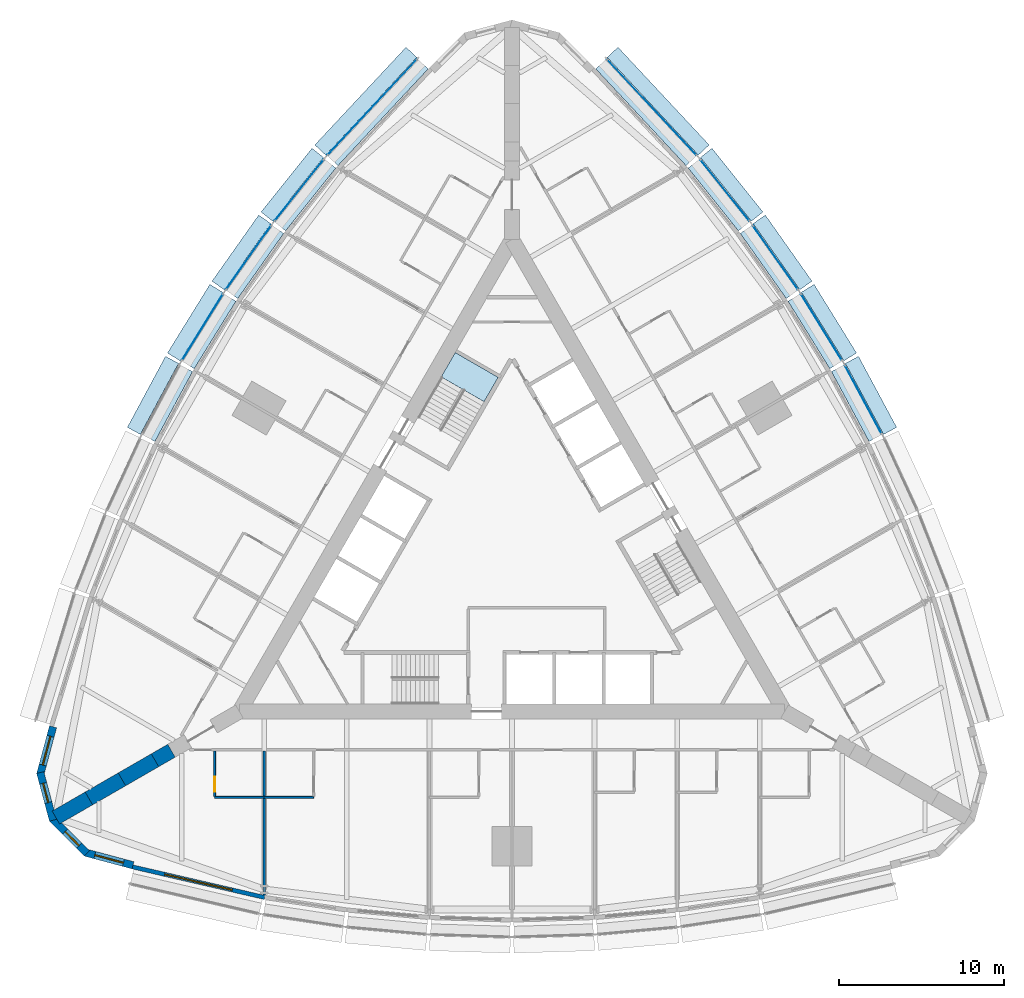
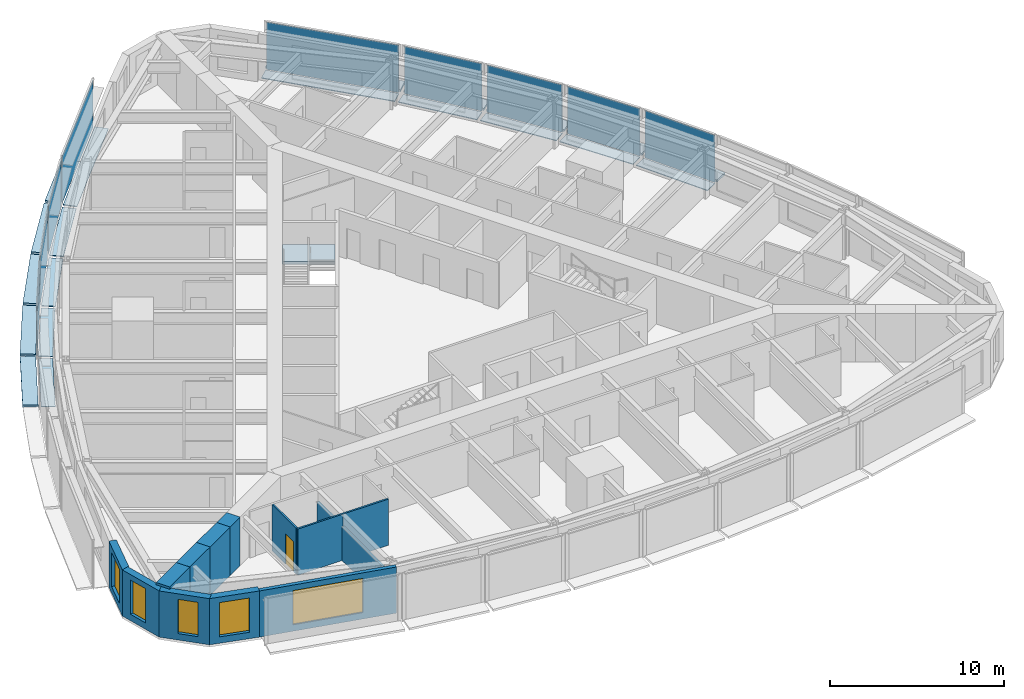
# One storey, part 7 of 14: 29 plates, 13 walls, 5 windows, 1 door, 1 slab, 6 openings, 10 elements without a shape of their own.
"""IFC4 building model written with IfcOpenShell, lengths in metres."""

import ifcopenshell
import ifcopenshell.guid

model = None  # the IFC model being written
_history = None  # IfcOwnerHistory: only IFC2X3 demands one
_inside = {}  # id of a spatial element -> (the spatial element, [elements in it])
_under = {}  # id of a project, library or spatial element -> (it, [spatial elements below it])
_declared = {}  # id of a project -> (the project, [libraries it declares])
_typed = {}  # id of a type object -> (the type object, [elements of that type])
_made_of = {}  # id of a material, layer set ... -> (it, [elements and type objects made of it])


def new_model(schema):
    """Start an empty IFC model of exactly this schema.

    Asked for "IFC4X3", IfcOpenShell would pick the latest addendum, in which some entities
    have other attributes; the version numbers below select the first issue.
    IFC2X3 requires an IfcOwnerHistory on every rooted entity: one is made here for all.
    """
    global model, _history
    if schema == "IFC4X3":
        model = ifcopenshell.file(schema_version=(4, 3, 0, 0))
    else:
        model = ifcopenshell.file(schema=schema)
    _inside.clear()
    _under.clear()
    _declared.clear()
    _typed.clear()
    _made_of.clear()
    _history = None
    if model.schema == "IFC2X3":
        org = make("IfcOrganization", Name="unknown")
        user = make(
            "IfcPersonAndOrganization",
            ThePerson=make("IfcPerson", FamilyName="unknown"),
            TheOrganization=org,
        )
        app = make(
            "IfcApplication",
            ApplicationDeveloper=org,
            Version="unknown",
            ApplicationFullName="unknown",
            ApplicationIdentifier="unknown",
        )
        _history = make(
            "IfcOwnerHistory",
            OwningUser=user,
            OwningApplication=app,
            ChangeAction="ADDED",
            CreationDate=0,
        )
    return model


def make(cls, **values):
    """One entity of the class cls with the attributes given. An attribute that is None is left unset."""
    return model.create_entity(
        cls, **{name: value for name, value in values.items() if value is not None}
    )


def rooted(cls, **values):
    """An entity with a GlobalId (a new one), such as an element, a storey or a relation."""
    return make(cls, GlobalId=ifcopenshell.guid.new(), OwnerHistory=_history, **values)


def si_unit(unit_type, name, prefix=None):
    """IfcSIUnit, for example si_unit("LENGTHUNIT", "METRE", prefix="MILLI")."""
    return make("IfcSIUnit", UnitType=unit_type, Prefix=prefix, Name=name)


def assignment(units):
    """IfcUnitAssignment: the units of a project."""
    return None if units is None else make("IfcUnitAssignment", Units=units)


def point(xyz):
    """IfcCartesianPoint."""
    return None if xyz is None else make("IfcCartesianPoint", Coordinates=xyz)


def direction(xyz):
    """IfcDirection."""
    return None if xyz is None else make("IfcDirection", DirectionRatios=xyz)


def frame(location, z_axis=None, x_axis=None):
    """IfcAxis2Placement3D, a coordinate frame: its origin and axes. An axis left out is left unset."""
    return make(
        "IfcAxis2Placement3D",
        Location=point(location),
        Axis=direction(z_axis),
        RefDirection=direction(x_axis),
    )


def frame_2d(location, x_axis=None):
    """IfcAxis2Placement2D, a coordinate frame in the plane: its origin and x axis."""
    return make(
        "IfcAxis2Placement2D", Location=point(location), RefDirection=direction(x_axis)
    )


def origin():
    """The frame at (0, 0, 0) with its axes left unset."""
    return frame((0.0, 0.0, 0.0))


def origin_2d():
    """The frame at (0, 0) in the plane with its x axis left unset."""
    return frame_2d((0.0, 0.0))


def place(relative_to, where):
    """IfcLocalPlacement: puts the frame where relative to a parent placement (None: the world)."""
    return make(
        "IfcLocalPlacement", PlacementRelTo=relative_to, RelativePlacement=where
    )


def context(
    kind, dimensions, precision=None, world=None, true_north=None, identifier=None
):
    """IfcGeometricRepresentationContext, for example the 3D "Model" context."""
    return make(
        "IfcGeometricRepresentationContext",
        ContextIdentifier=identifier,
        ContextType=kind,
        CoordinateSpaceDimension=dimensions,
        Precision=precision,
        WorldCoordinateSystem=world,
        TrueNorth=true_north,
    )


def subcontext(parent, identifier, kind, view, scale=None):
    """IfcGeometricRepresentationSubContext, for example "Body" below "Model"."""
    return make(
        "IfcGeometricRepresentationSubContext",
        ContextIdentifier=identifier,
        ContextType=kind,
        ParentContext=parent,
        TargetScale=scale,
        TargetView=view,
    )


def project(units=None, contexts=None):
    """IfcProject with its units and contexts."""
    return rooted(
        "IfcProject",
        Name="project",
        RepresentationContexts=contexts,
        UnitsInContext=assignment(units),
    )


def spatial(cls, under=None, at=None, **own):
    """A site, building, storey or space (cls), placed at a placement, below another one or the project."""
    s = rooted(cls, ObjectPlacement=at, **own)
    if under is not None:
        _under.setdefault(under.id(), (under, []))[1].append(s)
    return s


def polyline(points):
    """IfcPolyline through the points."""
    return make("IfcPolyline", Points=[point(p) for p in points])


def profile(cls, at=None, kind="AREA", **sizes):
    """A parametric profile (cls). Its sizes go by their IFC names, for example OverallWidth=200.0."""
    return make(cls, ProfileType=kind, Position=at, **sizes)


def rectangle(**sizes):
    """IfcRectangleProfileDef."""
    return profile("IfcRectangleProfileDef", **sizes)


def outline(outer, holes=None, kind="AREA"):
    """IfcArbitraryClosedProfileDef: a profile drawn as a closed curve; with holes, ...WithVoids."""
    if holes is None:
        return make("IfcArbitraryClosedProfileDef", ProfileType=kind, OuterCurve=outer)
    return make(
        "IfcArbitraryProfileDefWithVoids",
        ProfileType=kind,
        OuterCurve=outer,
        InnerCurves=holes,
    )


def extrude(swept, where, along, depth):
    """IfcExtrudedAreaSolid: the profile swept, set in the frame where, extruded along a direction by depth."""
    return make(
        "IfcExtrudedAreaSolid",
        SweptArea=swept,
        Position=where,
        ExtrudedDirection=direction(along),
        Depth=depth,
    )


def shape(context_of_items, identifier, shape_type, items):
    """IfcShapeRepresentation: the items that make up one representation, for example the "Body"."""
    return make(
        "IfcShapeRepresentation",
        ContextOfItems=context_of_items,
        RepresentationIdentifier=identifier,
        RepresentationType=shape_type,
        Items=items,
    )


def material(Name=None, Category=None):
    """IfcMaterial."""
    return make("IfcMaterial", Name=Name, Category=Category)


def layer(
    of_material, thickness, ventilated=None, Name=None, Category=None, Priority=None
):
    """IfcMaterialLayer: one layer of a wall or slab, of a material (None: an air gap)."""
    return make(
        "IfcMaterialLayer",
        Material=of_material,
        LayerThickness=thickness,
        IsVentilated=ventilated,
        Name=Name,
        Category=Category,
        Priority=Priority,
    )


def layer_set(layers, Name=None):
    """IfcMaterialLayerSet."""
    return make("IfcMaterialLayerSet", MaterialLayers=layers, LayerSetName=Name)


def made_of(thing, what):
    """Note that an element or type object is made of a material, layer set ...; save() writes the relation."""
    if what is not None:
        _made_of.setdefault(what.id(), (what, []))[1].append(thing)
    return thing


def type_object(cls, material=None, **own):
    """A type object (cls), such as IfcWallType, which elements share."""
    return made_of(rooted(cls, **own), material)


def element(
    cls,
    number,
    at=None,
    inside=None,
    cuts=None,
    type_object=None,
    material=None,
    context=None,
    identifier="Body",
    shape_type=None,
    held_by="IfcProductDefinitionShape",
    body=None,
    shapes=None,
    **own,
):
    """One element of the class cls, such as IfcWall. Its Tag is "e" and its number.

    at: its placement. inside: the storey or other place that contains it. cuts: it is an
    opening in that element (IfcRelVoidsElement). A single representation is given by context,
    identifier, shape_type and body (its items); several are given by shapes. held_by: the class
    of the entity that holds the representations. save() writes the other relations.
    """
    e = rooted(cls, Tag="e%d" % number, ObjectPlacement=at, **own)
    if body is not None:
        shapes = [shape(context, identifier, shape_type, body)]
    if shapes is not None:
        e.Representation = make(held_by, Representations=shapes)
    if inside is not None:
        _inside.setdefault(inside.id(), (inside, []))[1].append(e)
    if cuts is not None:
        rooted(
            "IfcRelVoidsElement", RelatingBuildingElement=cuts, RelatedOpeningElement=e
        )
    if type_object is not None:
        _typed.setdefault(type_object.id(), (type_object, []))[1].append(e)
    return made_of(e, material)


def fill(opening, filler):
    """IfcRelFillsElement: the door or window that sits in an opening."""
    return rooted(
        "IfcRelFillsElement",
        RelatingOpeningElement=opening,
        RelatedBuildingElement=filler,
    )


def aggregate(whole, parts):
    """IfcRelAggregates: a whole, such as a stair, and the parts it consists of."""
    return rooted("IfcRelAggregates", RelatingObject=whole, RelatedObjects=parts)


def save(model, path):
    """Write the relations noted so far, then the file.

    IfcRelAggregates (storeys below a building ...), IfcRelContainedInSpatialStructure (elements
    in a storey), IfcRelDefinesByType, IfcRelAssociatesMaterial and IfcRelDeclares: one each for
    every whole, place, type object, material and project.
    """
    for whole, parts in _under.values():
        aggregate(whole, parts)
    for where, things in _inside.values():
        rooted(
            "IfcRelContainedInSpatialStructure",
            RelatedElements=things,
            RelatingStructure=where,
        )
    for kind, things in _typed.values():
        rooted("IfcRelDefinesByType", RelatedObjects=things, RelatingType=kind)
    for what, things in _made_of.values():
        rooted("IfcRelAssociatesMaterial", RelatedObjects=things, RelatingMaterial=what)
    for by, libraries in _declared.values():
        rooted("IfcRelDeclares", RelatingContext=by, RelatedDefinitions=libraries)
    model.write(path)


model = new_model("IFC4")

# Units and contexts
model_context = context("Model", 3, precision=1e-05, world=origin(), true_north=direction((0.0, 1.0)))
body_context = subcontext(model_context, "Body", "Model", "MODEL_VIEW")
ifc_project = project(units=[si_unit("LENGTHUNIT", "METRE"), si_unit("AREAUNIT", "SQUARE_METRE"), si_unit("VOLUMEUNIT", "CUBIC_METRE"), si_unit("PLANEANGLEUNIT", "RADIAN"), si_unit("MASSUNIT", "GRAM", prefix="KILO")], contexts=[model_context])

# Site, building, storey
site_placement = place(None, origin())
site = spatial("IfcSite", under=ifc_project, at=site_placement, CompositionType="ELEMENT")
building_placement = place(site_placement, origin())
building = spatial("IfcBuilding", under=site, at=building_placement, Name="Trikona Tower", CompositionType="ELEMENT")
storey_placement = place(building_placement, frame((0.0, 0.0, 79.5)))
storey = spatial("IfcBuildingStorey", under=building, at=storey_placement, Name="L20", CompositionType="ELEMENT", Elevation=79.5)

# Plates
ifc_material_1 = material(Name="Aluminium bar grating", Category="aluminium")
ifc_layer_1 = layer(ifc_material_1, 0.050048828125)
ifc_layer_set_1 = layer_set([ifc_layer_1], Name="Cavity catwalk grating")
plate_type_1 = type_object("IfcPlateType", Name="Cavity catwalk grating", PredefinedType="USERDEFINED", material=ifc_layer_set_1)
for number, where, z_axis, x_axis, name in (
    (1, (20.833740234375, 9.127197265625, -0.0498046875), (0.0, 0.0, 1.0), (-0.473422672721, 0.880835383572, 0.0), "Cavity catwalk L20-15"),
    (2, (18.3212890625, 13.47900390625, -0.0498046875), (0.0, 0.0, 1.0), (-0.526118935114, 0.85041099835, 0.0), "Cavity catwalk L20-16"),
):
    element("IfcPlate", number, at=place(storey_placement, frame(where, z_axis=z_axis, x_axis=x_axis)), inside=storey, type_object=plate_type_1, Name=name, ObjectType="CATWALK GRATING", PredefinedType="USERDEFINED", context=body_context, shape_type="SweptSolid", body=[
        extrude(rectangle(XDim=4.80224609375, YDim=0.820068359375, at=origin_2d()), origin(), (0.0, 0.0, 1.0), 0.050048828125),
    ])
plate_1_placement = place(storey_placement, frame((15.544189453125, 17.677734375, -0.0498046875), z_axis=(0.0, 0.0, 1.0), x_axis=(-0.576661909499, 0.816982889743, 0.0)))
element("IfcPlate", 3, at=plate_1_placement, inside=storey, type_object=plate_type_1, Name="Cavity catwalk L20-17", ObjectType="CATWALK GRATING", PredefinedType="USERDEFINED", context=body_context, shape_type="SweptSolid", body=[
    extrude(rectangle(XDim=4.82080078125, YDim=0.820068359375, at=origin_2d()), origin(), (0.0, 0.0, 1.0), 0.050048828125),
])
plate_2_placement = place(storey_placement, frame((12.502197265625, 21.72314453125, -0.0498046875), z_axis=(0.0, 0.0, 1.0), x_axis=(-0.624603618277, 0.780941944087, 0.0)))
element("IfcPlate", 4, at=plate_2_placement, inside=storey, type_object=plate_type_1, Name="Cavity catwalk L20-18", ObjectType="CATWALK GRATING", PredefinedType="USERDEFINED", context=body_context, shape_type="SweptSolid", body=[
    extrude(rectangle(XDim=4.857666015625, YDim=0.820068359375, at=origin_2d()), origin(), (0.0, 0.0, 1.0), 0.050048828125),
])
for number, where, z_axis, x_axis, name in (
    (5, (8.10107421875, 26.72314453125, -0.0498046875), (0.0, 0.0, 1.0), (-0.682298269147, 0.731073916864, 0.0), "Cavity catwalk L20-19"),
    (6, (-8.10107421875, 26.72314453125, -0.0498046875), (0.0, 0.0, 1.0), (-0.682298269147, -0.731073916864, 0.0), "Cavity catwalk L20-24"),
):
    element("IfcPlate", number, at=place(storey_placement, frame(where, z_axis=z_axis, x_axis=x_axis)), inside=storey, type_object=plate_type_1, Name=name, ObjectType="CATWALK GRATING", PredefinedType="USERDEFINED", context=body_context, shape_type="SweptSolid", body=[
        extrude(rectangle(XDim=8.01123046875, YDim=0.820068359375, at=origin_2d()), origin(), (0.0, 0.0, 1.0), 0.050048828125),
    ])
plate_3_placement = place(storey_placement, frame((-12.502197265625, 21.72314453125, -0.0498046875), z_axis=(0.0, 0.0, 1.0), x_axis=(-0.624603618277, -0.780941944087, 0.0)))
element("IfcPlate", 7, at=plate_3_placement, inside=storey, type_object=plate_type_1, Name="Cavity catwalk L20-25", ObjectType="CATWALK GRATING", PredefinedType="USERDEFINED", context=body_context, shape_type="SweptSolid", body=[
    extrude(rectangle(XDim=4.857666015625, YDim=0.820068359375, at=origin_2d()), origin(), (0.0, 0.0, 1.0), 0.050048828125),
])
plate_4_placement = place(storey_placement, frame((-15.544189453125, 17.677734375, -0.0498046875), z_axis=(0.0, 0.0, 1.0), x_axis=(-0.576661909499, -0.816982889743, 0.0)))
element("IfcPlate", 8, at=plate_4_placement, inside=storey, type_object=plate_type_1, Name="Cavity catwalk L20-26", ObjectType="CATWALK GRATING", PredefinedType="USERDEFINED", context=body_context, shape_type="SweptSolid", body=[
    extrude(rectangle(XDim=4.82080078125, YDim=0.820068359375, at=origin_2d()), origin(), (0.0, 0.0, 1.0), 0.050048828125),
])
for number, where, z_axis, x_axis, name in (
    (9, (-18.3212890625, 13.47900390625, -0.0498046875), (0.0, 0.0, 1.0), (-0.526118935114, -0.85041099835, 0.0), "Cavity catwalk L20-27"),
    (10, (-20.833740234375, 9.127197265625, -0.0498046875), (0.0, 0.0, 1.0), (-0.473422672721, -0.880835383572, 0.0), "Cavity catwalk L20-28"),
):
    element("IfcPlate", number, at=place(storey_placement, frame(where, z_axis=z_axis, x_axis=x_axis)), inside=storey, type_object=plate_type_1, Name=name, ObjectType="CATWALK GRATING", PredefinedType="USERDEFINED", context=body_context, shape_type="SweptSolid", body=[
        extrude(rectangle(XDim=4.80224609375, YDim=0.820068359375, at=origin_2d()), origin(), (0.0, 0.0, 1.0), 0.050048828125),
    ])

# Curtain wall, plate
ifc_material_2 = material(Name="Aluminium curtain wall system", Category="aluminium")
curtain_wall_type = type_object("IfcCurtainWallType", Name="Curtain wall DS1", PredefinedType="NOTDEFINED", material=ifc_material_2)
curtain_wall_1_placement = place(storey_placement, origin())
curtain_wall_1 = element("IfcCurtainWall", 11, at=curtain_wall_1_placement, inside=storey, type_object=curtain_wall_type, Name="Curtain wall DS1 L20", PredefinedType="NOTDEFINED")
ifc_material_3 = material(Name="Laminated clear glass", Category="glass")
ifc_layer_2 = layer(ifc_material_3, 0.028076171875)
ifc_layer_set_2 = layer_set([ifc_layer_2], Name="Glass panel DS1")
plate_type_2 = type_object("IfcPlateType", Name="Glass panel DS1", PredefinedType="CURTAIN_PANEL", material=ifc_layer_set_2)
plate_5_placement = place(storey_placement, frame((21.265380859375, 9.359130859375, 0.0), z_axis=(0.0, 0.0, 1.0), x_axis=(-0.473408350896, 0.880843080975, 0.0)))
plate_5 = element("IfcPlate", 12, at=plate_5_placement, type_object=plate_type_2, Name="CW-DS1 panel 1.1", PredefinedType="CURTAIN_PANEL", context=body_context, shape_type="SweptSolid", body=[
    extrude(rectangle(XDim=4.72216796875, YDim=0.028076171875, at=origin_2d()), origin(), (0.0, 0.0, 1.0), 3.320068359375),
])
aggregate(curtain_wall_1, [plate_5])

curtain_wall_2_placement = place(storey_placement, origin())
curtain_wall_2 = element("IfcCurtainWall", 13, at=curtain_wall_2_placement, inside=storey, type_object=curtain_wall_type, Name="Curtain wall DS1 L20", PredefinedType="NOTDEFINED")
plate_6_placement = place(storey_placement, frame((18.738037109375, 13.73681640625, 0.0), z_axis=(0.0, 0.0, 1.0), x_axis=(-0.526119790842, 0.850410468941, 0.0)))
plate_6 = element("IfcPlate", 14, at=plate_6_placement, type_object=plate_type_2, Name="CW-DS1 panel 1.1", PredefinedType="CURTAIN_PANEL", context=body_context, shape_type="SweptSolid", body=[
    extrude(rectangle(XDim=4.722412109375, YDim=0.028076171875, at=origin_2d()), origin(), (0.0, 0.0, 1.0), 3.320068359375),
])
aggregate(curtain_wall_2, [plate_6])

curtain_wall_3_placement = place(storey_placement, origin())
curtain_wall_3 = element("IfcCurtainWall", 15, at=curtain_wall_3_placement, inside=storey, type_object=curtain_wall_type, Name="Curtain wall DS1 L20", PredefinedType="NOTDEFINED")
plate_7_placement = place(storey_placement, frame((15.9443359375, 17.960205078125, 0.0), z_axis=(0.0, 0.0, 1.0), x_axis=(-0.576658362928, 0.816985393055, 0.0)))
plate_7 = element("IfcPlate", 16, at=plate_7_placement, type_object=plate_type_2, Name="CW-DS1 panel 1.1", PredefinedType="CURTAIN_PANEL", context=body_context, shape_type="SweptSolid", body=[
    extrude(rectangle(XDim=4.74072265625, YDim=0.028076171875, at=origin_2d()), origin(), (0.0, 0.0, 1.0), 3.320068359375),
])
aggregate(curtain_wall_3, [plate_7])

curtain_wall_4_placement = place(storey_placement, origin())
curtain_wall_4 = element("IfcCurtainWall", 17, at=curtain_wall_4_placement, inside=storey, type_object=curtain_wall_type, Name="Curtain wall DS1 L20", PredefinedType="NOTDEFINED")
plate_8_placement = place(storey_placement, frame((12.884765625, 22.029296875, 0.0), z_axis=(0.0, 0.0, 1.0), x_axis=(-0.624608599951, 0.780937959679, 0.0)))
plate_8 = element("IfcPlate", 18, at=plate_8_placement, type_object=plate_type_2, Name="CW-DS1 panel 1.1", PredefinedType="CURTAIN_PANEL", context=body_context, shape_type="SweptSolid", body=[
    extrude(rectangle(XDim=4.777587890625, YDim=0.028076171875, at=origin_2d()), origin(), (0.0, 0.0, 1.0), 3.320068359375),
])
aggregate(curtain_wall_4, [plate_8])

curtain_wall_5_placement = place(storey_placement, origin())
curtain_wall_5 = element("IfcCurtainWall", 19, at=curtain_wall_5_placement, inside=storey, type_object=curtain_wall_type, Name="Curtain wall DS1 L20", PredefinedType="NOTDEFINED")
plate_9_placement = place(storey_placement, frame((8.459228515625, 27.057373046875, 0.0), z_axis=(0.0, 0.0, 1.0), x_axis=(-0.682295351967, 0.731076639405, 0.0)))
plate_9 = element("IfcPlate", 20, at=plate_9_placement, type_object=plate_type_2, Name="CW-DS1 panel 1.1", PredefinedType="CURTAIN_PANEL", context=body_context, shape_type="SweptSolid", body=[
    extrude(rectangle(XDim=7.93115234375, YDim=0.028076171875, at=origin_2d()), origin(), (0.0, 0.0, 1.0), 3.320068359375),
])
aggregate(curtain_wall_5, [plate_9])

curtain_wall_6_placement = place(storey_placement, origin())
curtain_wall_6 = element("IfcCurtainWall", 21, at=curtain_wall_6_placement, inside=storey, type_object=curtain_wall_type, Name="Curtain wall DS1 L20", PredefinedType="NOTDEFINED")
plate_10_placement = place(storey_placement, frame((-8.459228515625, 27.057373046875, 0.0), z_axis=(0.0, 0.0, 1.0), x_axis=(-0.682295351967, -0.731076639405, 0.0)))
plate_10 = element("IfcPlate", 22, at=plate_10_placement, type_object=plate_type_2, Name="CW-DS1 panel 1.1", PredefinedType="CURTAIN_PANEL", context=body_context, shape_type="SweptSolid", body=[
    extrude(rectangle(XDim=7.93115234375, YDim=0.028076171875, at=origin_2d()), origin(), (0.0, 0.0, 1.0), 3.320068359375),
])
aggregate(curtain_wall_6, [plate_10])

curtain_wall_7_placement = place(storey_placement, origin())
curtain_wall_7 = element("IfcCurtainWall", 23, at=curtain_wall_7_placement, inside=storey, type_object=curtain_wall_type, Name="Curtain wall DS1 L20", PredefinedType="NOTDEFINED")
plate_11_placement = place(storey_placement, frame((-12.884765625, 22.029296875, 0.0), z_axis=(0.0, 0.0, 1.0), x_axis=(-0.624608599951, -0.780937959679, 0.0)))
plate_11 = element("IfcPlate", 24, at=plate_11_placement, type_object=plate_type_2, Name="CW-DS1 panel 1.1", PredefinedType="CURTAIN_PANEL", context=body_context, shape_type="SweptSolid", body=[
    extrude(rectangle(XDim=4.777587890625, YDim=0.028076171875, at=origin_2d()), origin(), (0.0, 0.0, 1.0), 3.320068359375),
])
aggregate(curtain_wall_7, [plate_11])

curtain_wall_8_placement = place(storey_placement, origin())
curtain_wall_8 = element("IfcCurtainWall", 25, at=curtain_wall_8_placement, inside=storey, type_object=curtain_wall_type, Name="Curtain wall DS1 L20", PredefinedType="NOTDEFINED")
plate_12_placement = place(storey_placement, frame((-15.9443359375, 17.960205078125, 0.0), z_axis=(0.0, 0.0, 1.0), x_axis=(-0.576658362928, -0.816985393055, 0.0)))
plate_12 = element("IfcPlate", 26, at=plate_12_placement, type_object=plate_type_2, Name="CW-DS1 panel 1.1", PredefinedType="CURTAIN_PANEL", context=body_context, shape_type="SweptSolid", body=[
    extrude(rectangle(XDim=4.74072265625, YDim=0.028076171875, at=origin_2d()), origin(), (0.0, 0.0, 1.0), 3.320068359375),
])
aggregate(curtain_wall_8, [plate_12])

curtain_wall_9_placement = place(storey_placement, origin())
curtain_wall_9 = element("IfcCurtainWall", 27, at=curtain_wall_9_placement, inside=storey, type_object=curtain_wall_type, Name="Curtain wall DS1 L20", PredefinedType="NOTDEFINED")
plate_13_placement = place(storey_placement, frame((-18.738037109375, 13.73681640625, 0.0), z_axis=(0.0, 0.0, 1.0), x_axis=(-0.526119790842, -0.850410468941, 0.0)))
plate_13 = element("IfcPlate", 28, at=plate_13_placement, type_object=plate_type_2, Name="CW-DS1 panel 1.1", PredefinedType="CURTAIN_PANEL", context=body_context, shape_type="SweptSolid", body=[
    extrude(rectangle(XDim=4.722412109375, YDim=0.028076171875, at=origin_2d()), origin(), (0.0, 0.0, 1.0), 3.320068359375),
])
aggregate(curtain_wall_9, [plate_13])

# Plates
ifc_material_4 = material(Name="Aluminium plate fin, pale anodised, on stainless steel outriggers", Category="steel")
ifc_layer_3 = layer(ifc_material_4, 0.14990234375)
ifc_layer_set_3 = layer_set([ifc_layer_3], Name="Outer skin fin 900")
plate_type_3 = type_object("IfcPlateType", Name="Outer skin fin 900", PredefinedType="USERDEFINED", material=ifc_layer_set_3)
for number, where, z_axis, x_axis, name in (
    (29, (21.732421875, 9.610107421875, 0.0), (0.0, 0.0, 1.0), (-0.473422672721, 0.880835383572, 0.0), "Outer skin fin L20-15"),
    (30, (19.188720703125, 14.015625, 0.0), (0.0, 0.0, 1.0), (-0.526118935114, 0.85041099835, 0.0), "Outer skin fin L20-16"),
):
    element("IfcPlate", number, at=place(storey_placement, frame(where, z_axis=z_axis, x_axis=x_axis)), inside=storey, type_object=plate_type_3, Name=name, ObjectType="FIN", PredefinedType="USERDEFINED", context=body_context, shape_type="SweptSolid", body=[
        extrude(rectangle(XDim=4.88232421875, YDim=0.89990234375, at=origin_2d()), origin(), (0.0, 0.0, 1.0), 0.14990234375),
    ])
plate_14_placement = place(storey_placement, frame((16.37744140625, 18.265869140625, 0.0), z_axis=(0.0, 0.0, 1.0), x_axis=(-0.576661909499, 0.816982889743, 0.0)))
element("IfcPlate", 31, at=plate_14_placement, inside=storey, type_object=plate_type_3, Name="Outer skin fin L20-17", ObjectType="FIN", PredefinedType="USERDEFINED", context=body_context, shape_type="SweptSolid", body=[
    extrude(rectangle(XDim=4.90087890625, YDim=0.89990234375, at=origin_2d()), origin(), (0.0, 0.0, 1.0), 0.14990234375),
])
plate_15_placement = place(storey_placement, frame((13.298583984375, 22.360107421875, 0.0), z_axis=(0.0, 0.0, 1.0), x_axis=(-0.624603618277, 0.780941944087, 0.0)))
element("IfcPlate", 32, at=plate_15_placement, inside=storey, type_object=plate_type_3, Name="Outer skin fin L20-18", ObjectType="FIN", PredefinedType="USERDEFINED", context=body_context, shape_type="SweptSolid", body=[
    extrude(rectangle(XDim=4.9375, YDim=0.89990234375, at=origin_2d()), origin(), (0.0, 0.0, 1.0), 0.14990234375),
])
for number, where, z_axis, x_axis, name in (
    (33, (8.8466796875, 27.419189453125, 0.0), (0.0, 0.0, 1.0), (-0.682298269147, 0.731073916864, 0.0), "Outer skin fin L20-19"),
    (34, (-8.8466796875, 27.419189453125, 0.0), (0.0, 0.0, 1.0), (-0.682298269147, -0.731073916864, 0.0), "Outer skin fin L20-24"),
):
    element("IfcPlate", number, at=place(storey_placement, frame(where, z_axis=z_axis, x_axis=x_axis)), inside=storey, type_object=plate_type_3, Name=name, ObjectType="FIN", PredefinedType="USERDEFINED", context=body_context, shape_type="SweptSolid", body=[
        extrude(rectangle(XDim=8.09130859375, YDim=0.89990234375, at=origin_2d()), origin(), (0.0, 0.0, 1.0), 0.14990234375),
    ])
plate_16_placement = place(storey_placement, frame((-13.298583984375, 22.360107421875, 0.0), z_axis=(0.0, 0.0, 1.0), x_axis=(-0.624603618277, -0.780941944087, 0.0)))
element("IfcPlate", 35, at=plate_16_placement, inside=storey, type_object=plate_type_3, Name="Outer skin fin L20-25", ObjectType="FIN", PredefinedType="USERDEFINED", context=body_context, shape_type="SweptSolid", body=[
    extrude(rectangle(XDim=4.9375, YDim=0.89990234375, at=origin_2d()), origin(), (0.0, 0.0, 1.0), 0.14990234375),
])
plate_17_placement = place(storey_placement, frame((-16.37744140625, 18.265869140625, 0.0), z_axis=(0.0, 0.0, 1.0), x_axis=(-0.576661909499, -0.816982889743, 0.0)))
element("IfcPlate", 36, at=plate_17_placement, inside=storey, type_object=plate_type_3, Name="Outer skin fin L20-26", ObjectType="FIN", PredefinedType="USERDEFINED", context=body_context, shape_type="SweptSolid", body=[
    extrude(rectangle(XDim=4.90087890625, YDim=0.89990234375, at=origin_2d()), origin(), (0.0, 0.0, 1.0), 0.14990234375),
])
for number, where, z_axis, x_axis, name in (
    (37, (-19.188720703125, 14.015625, 0.0), (0.0, 0.0, 1.0), (-0.526118935114, -0.85041099835, 0.0), "Outer skin fin L20-27"),
    (38, (-21.732421875, 9.610107421875, 0.0), (0.0, 0.0, 1.0), (-0.473422672721, -0.880835383572, 0.0), "Outer skin fin L20-28"),
):
    element("IfcPlate", number, at=place(storey_placement, frame(where, z_axis=z_axis, x_axis=x_axis)), inside=storey, type_object=plate_type_3, Name=name, ObjectType="FIN", PredefinedType="USERDEFINED", context=body_context, shape_type="SweptSolid", body=[
        extrude(rectangle(XDim=4.88232421875, YDim=0.89990234375, at=origin_2d()), origin(), (0.0, 0.0, 1.0), 0.14990234375),
    ])

# Stair, slab
ifc_material_5 = material(Name="Concrete f'c 5000 psi", Category="concrete")
stair_type = type_object("IfcStairType", Name="Core stair", PredefinedType="HALF_TURN_STAIR", material=ifc_material_5)
stair_placement = place(storey_placement, origin())
stair = element("IfcStair", 39, at=stair_placement, inside=storey, type_object=stair_type, Name="Stair C L20", PredefinedType="HALF_TURN_STAIR")
ifc_material_6 = material(Name="Concrete f'c 5000 psi", Category="concrete")
ifc_layer_4 = layer(ifc_material_6, 0.199951171875)
ifc_layer_set_4 = layer_set([ifc_layer_4], Name="Stair landing 200")
slab_type = type_object("IfcSlabType", Name="Stair landing 200", PredefinedType="LANDING", material=ifc_layer_set_4)
slab_placement = place(storey_placement, frame((0.0, 0.0, 1.5)))
slab = element("IfcSlab", 40, at=slab_placement, type_object=slab_type, Name="ST-C landing 2", PredefinedType="LANDING", context=body_context, shape_type="SweptSolid", body=[
    extrude(outline(polyline([(-0.837158203125, 10.702392578125), (-1.688720703125, 9.2275390625), (-4.286865234375, 10.7275390625), (-3.435302734375, 12.202392578125), (-0.837158203125, 10.702392578125)])), origin(), (0.0, 0.0, 1.0), 0.199951171875),
])
aggregate(stair, [slab])

# Wall
ifc_material_7 = material(Name="Metal stud and cement board", Category="gypsum")
ifc_layer_5 = layer(ifc_material_7, 0.1201171875)
ifc_layer_set_5 = layer_set([ifc_layer_5], Name="Bathroom wall 120")
wall_type_1 = type_object("IfcWallType", Name="Bathroom wall 120", PredefinedType="PLUMBINGWALL", material=ifc_layer_set_5)
wall_1_placement = place(storey_placement, frame((-18.0, -14.726318359375, 0.0), z_axis=(0.0, 0.0, 1.0), x_axis=(1.0, 0.0, 0.0)))
element("IfcWall", 41, at=wall_1_placement, inside=storey, type_object=wall_type_1, Name="Bathroom wall 2001", PredefinedType="PLUMBINGWALL", context=body_context, shape_type="SweptSolid", body=[
    extrude(rectangle(XDim=3.0, YDim=0.1201171875, at=frame_2d((1.5, 0.0))), origin(), (0.0, 0.0, 1.0), 3.235107421875),
])

# Wall, opening, door
wall_2_placement = place(storey_placement, frame((-18.0, -11.92626953125, 0.0), z_axis=(0.0, 0.0, 1.0), x_axis=(0.0, -1.0, 0.0)))
wall_2 = element("IfcWall", 42, at=wall_2_placement, inside=storey, type_object=wall_type_1, Name="Bathroom wall 2001", PredefinedType="PLUMBINGWALL", context=body_context, shape_type="SweptSolid", body=[
    extrude(rectangle(XDim=2.739990234375, YDim=0.1201171875, at=frame_2d((1.3701171875, 0.0))), origin(), (0.0, 0.0, 1.0), 3.235107421875),
])
opening_1_placement = place(wall_2_placement, frame((1.550048828125, 0.0, 0.0)))
opening_1 = element("IfcOpeningElement", 43, at=opening_1_placement, cuts=wall_2, Name="Opening D2", PredefinedType="OPENING", context=body_context, shape_type="SweptSolid", body=[
    extrude(rectangle(XDim=0.89990234375, YDim=2.1298828125, at=frame_2d((0.449951171875, 1.06494140625))), frame((0.0, 0.070068359375, 0.0), z_axis=(0.0, -1.0, 0.0), x_axis=(1.0, 0.0, 0.0)), (0.0, 0.0, 1.0), 0.14013671875),
])
ifc_material_8 = material(Name="Steel door frame with solid-core timber leaf", Category="steel")
door_type = type_object("IfcDoorType", Name="Bathroom door 900x2130", OperationType="SLIDING_TO_LEFT", PredefinedType="DOOR", material=ifc_material_8)
door_placement = place(opening_1_placement, origin())
door = element("IfcDoor", 44, at=door_placement, inside=storey, type_object=door_type, Name="Bathroom door 2001", OperationType="SLIDING_TO_LEFT", OverallHeight=2.1298828125, OverallWidth=0.89990234375, PredefinedType="DOOR", context=body_context, shape_type="SweptSolid", body=[
    extrude(rectangle(XDim=0.89990234375, YDim=2.1298828125, at=frame_2d((0.449951171875, 1.06494140625))), frame((0.0, 0.02490234375, 0.0), z_axis=(0.0, -1.0, 0.0), x_axis=(1.0, 0.0, 0.0)), (0.0, 0.0, 1.0), 0.050048828125),
])
fill(opening_1, door)

# Wall
wall_3_placement = place(storey_placement, frame((-15.0, -14.726318359375, 0.0), z_axis=(0.0, 0.0, 1.0), x_axis=(1.0, 0.0, 0.0)))
element("IfcWall", 45, at=wall_3_placement, inside=storey, type_object=wall_type_1, Name="Bathroom wall 2002", PredefinedType="PLUMBINGWALL", context=body_context, shape_type="SweptSolid", body=[
    extrude(rectangle(XDim=3.0, YDim=0.1201171875, at=frame_2d((1.5, 0.0))), origin(), (0.0, 0.0, 1.0), 3.235107421875),
])

# Wall, opening, window
ifc_material_9 = material(Name="Brick-faced precast concrete", Category="masonry")
ifc_layer_6 = layer(ifc_material_9, 0.449951171875)
ifc_layer_set_6 = layer_set([ifc_layer_6], Name="Brick-faced corner wall 450")
wall_type_2 = type_object("IfcWallType", Name="Brick-faced corner wall 450", PredefinedType="SOLIDWALL", material=ifc_layer_set_6)
wall_4_placement = place(storey_placement, frame((-27.78271484375, -10.450439453125, 0.0), z_axis=(0.0, 0.0, 1.0), x_axis=(-0.258780998834, -0.965936019953, 0.0)))
wall_4 = element("IfcWall", 46, at=wall_4_placement, inside=storey, type_object=wall_type_2, Name="External wall L20-32", PredefinedType="SOLIDWALL", context=body_context, shape_type="SweptSolid", body=[
    extrude(rectangle(XDim=2.98876953125, YDim=0.449951171875, at=frame_2d((1.494384765625, 0.0))), origin(), (0.0, 0.0, 1.0), 3.235107421875),
])
opening_2_placement = place(wall_4_placement, frame((0.59423828125, 0.0, 0.449951171875)))
opening_2 = element("IfcOpeningElement", 47, at=opening_2_placement, cuts=wall_4, Name="Opening W1824", PredefinedType="OPENING", context=body_context, shape_type="SweptSolid", body=[
    extrude(rectangle(XDim=1.800048828125, YDim=2.39990234375, at=frame_2d((0.89990234375, 1.199951171875))), frame((0.0, 0.23486328125, 0.0), z_axis=(0.0, -1.0, 0.0), x_axis=(1.0, 0.0, 0.0)), (0.0, 0.0, 1.0), 0.469970703125),
])
ifc_material_10 = material(Name="Aluminium-framed double glazing", Category="aluminium")
window_type_1 = type_object("IfcWindowType", Name="Window 1800x2400", PartitioningType="SINGLE_PANEL", PredefinedType="WINDOW", material=ifc_material_10)
window_1_placement = place(opening_2_placement, origin())
window_1 = element("IfcWindow", 48, at=window_1_placement, inside=storey, type_object=window_type_1, Name="Window 2016", OverallHeight=2.39990234375, OverallWidth=1.800048828125, PartitioningType="SINGLE_PANEL", PredefinedType="WINDOW", context=body_context, shape_type="SweptSolid", body=[
    extrude(rectangle(XDim=1.800048828125, YDim=2.39990234375, at=frame_2d((0.89990234375, 1.199951171875))), frame((0.0, 0.030029296875, 0.0), z_axis=(0.0, -1.0, 0.0), x_axis=(1.0, 0.0, 0.0)), (0.0, 0.0, 1.0), 0.06005859375),
])
fill(opening_2, window_1)

wall_5_placement = place(storey_placement, frame((-28.55615234375, -13.220947265625, 0.0), z_axis=(0.0, 0.0, 1.0), x_axis=(0.258801419081, -0.965930548995, 0.0)))
wall_5 = element("IfcWall", 49, at=wall_5_placement, inside=storey, type_object=wall_type_2, Name="External wall L20-33", PredefinedType="SOLIDWALL", context=body_context, shape_type="SweptSolid", body=[
    extrude(outline(polyline([(2.988525390625, 0.22509765625), (2.928955078125, 0.22509765625), (2.437255859375, 0.09326171875), (2.402099609375, 0.22509765625), (0.0, 0.22509765625), (0.0, -0.22509765625), (2.988525390625, -0.22509765625), (2.988525390625, 0.22509765625)])), origin(), (0.0, 0.0, 1.0), 3.235107421875),
])
opening_3_placement = place(wall_5_placement, frame((0.676025390625, 0.0, 0.449951171875)))
opening_3 = element("IfcOpeningElement", 50, at=opening_3_placement, cuts=wall_5, Name="Opening W1224", PredefinedType="OPENING", context=body_context, shape_type="SweptSolid", body=[
    extrude(rectangle(XDim=1.199951171875, YDim=2.39990234375, at=frame_2d((0.60009765625, 1.199951171875))), frame((0.0, 0.23486328125, 0.0), z_axis=(0.0, -1.0, 0.0), x_axis=(1.0, 0.0, 0.0)), (0.0, 0.0, 1.0), 0.469970703125),
])
ifc_material_11 = material(Name="Aluminium-framed double glazing", Category="aluminium")
window_type_2 = type_object("IfcWindowType", Name="Window 1200x2400", PartitioningType="SINGLE_PANEL", PredefinedType="WINDOW", material=ifc_material_11)
window_2_placement = place(opening_3_placement, origin())
window_2 = element("IfcWindow", 51, at=window_2_placement, inside=storey, type_object=window_type_2, Name="Window 2016", OverallHeight=2.39990234375, OverallWidth=1.199951171875, PartitioningType="SINGLE_PANEL", PredefinedType="WINDOW", context=body_context, shape_type="SweptSolid", body=[
    extrude(rectangle(XDim=1.199951171875, YDim=2.39990234375, at=frame_2d((0.60009765625, 1.199951171875))), frame((0.0, 0.030029296875, 0.0), z_axis=(0.0, -1.0, 0.0), x_axis=(1.0, 0.0, 0.0)), (0.0, 0.0, 1.0), 0.06005859375),
])
fill(opening_3, window_2)

wall_6_placement = place(storey_placement, frame((-27.8408203125, -16.006591796875, 0.0), z_axis=(0.0, 0.0, 1.0), x_axis=(0.707025086683, -0.707188466253, 0.0)))
wall_6 = element("IfcWall", 52, at=wall_6_placement, inside=storey, type_object=wall_type_2, Name="External wall L20-34", PredefinedType="SOLIDWALL", context=body_context, shape_type="SweptSolid", body=[
    extrude(outline(polyline([(2.988525390625, 0.22509765625), (0.58642578125, 0.22509765625), (0.551025390625, 0.093017578125), (0.058837890625, 0.22509765625), (0.0, 0.22509765625), (0.0, -0.22509765625), (2.988525390625, -0.22509765625), (2.988525390625, 0.22509765625)])), origin(), (0.0, 0.0, 1.0), 3.235107421875),
])
opening_4_placement = place(wall_6_placement, frame((1.112548828125, 0.0, 0.449951171875)))
opening_4 = element("IfcOpeningElement", 53, at=opening_4_placement, cuts=wall_6, Name="Opening W1224", PredefinedType="OPENING", context=body_context, shape_type="SweptSolid", body=[
    extrude(rectangle(XDim=1.199951171875, YDim=2.39990234375, at=frame_2d((0.60009765625, 1.199951171875))), frame((0.0, 0.23486328125, 0.0), z_axis=(0.0, -1.0, 0.0), x_axis=(1.0, 0.0, 0.0)), (0.0, 0.0, 1.0), 0.469970703125),
])
window_3_placement = place(opening_4_placement, origin())
window_3 = element("IfcWindow", 54, at=window_3_placement, inside=storey, type_object=window_type_2, Name="Window 2001", OverallHeight=2.39990234375, OverallWidth=1.199951171875, PartitioningType="SINGLE_PANEL", PredefinedType="WINDOW", context=body_context, shape_type="SweptSolid", body=[
    extrude(rectangle(XDim=1.199951171875, YDim=2.39990234375, at=frame_2d((0.60009765625, 1.199951171875))), frame((0.0, 0.030029296875, 0.0), z_axis=(0.0, -1.0, 0.0), x_axis=(1.0, 0.0, 0.0)), (0.0, 0.0, 1.0), 0.06005859375),
])
fill(opening_4, window_3)

wall_7_placement = place(storey_placement, frame((-25.82861328125, -18.061767578125, 0.0), z_axis=(0.0, 0.0, 1.0), x_axis=(0.965930548995, -0.258801419081, 0.0)))
wall_7 = element("IfcWall", 55, at=wall_7_placement, inside=storey, type_object=wall_type_2, Name="External wall L20-35", PredefinedType="SOLIDWALL", context=body_context, shape_type="SweptSolid", body=[
    extrude(rectangle(XDim=2.988525390625, YDim=0.449951171875, at=frame_2d((1.494140625, 0.0))), origin(), (0.0, 0.0, 1.0), 3.235107421875),
])
opening_5_placement = place(wall_7_placement, frame((0.59423828125, 0.0, 0.449951171875)))
opening_5 = element("IfcOpeningElement", 56, at=opening_5_placement, cuts=wall_7, Name="Opening W1824", PredefinedType="OPENING", context=body_context, shape_type="SweptSolid", body=[
    extrude(rectangle(XDim=1.800048828125, YDim=2.39990234375, at=frame_2d((0.89990234375, 1.199951171875))), frame((0.0, 0.23486328125, 0.0), z_axis=(0.0, -1.0, 0.0), x_axis=(1.0, 0.0, 0.0)), (0.0, 0.0, 1.0), 0.469970703125),
])
window_4_placement = place(opening_5_placement, origin())
window_4 = element("IfcWindow", 57, at=window_4_placement, inside=storey, type_object=window_type_1, Name="Window 2001", OverallHeight=2.39990234375, OverallWidth=1.800048828125, PartitioningType="SINGLE_PANEL", PredefinedType="WINDOW", context=body_context, shape_type="SweptSolid", body=[
    extrude(rectangle(XDim=1.800048828125, YDim=2.39990234375, at=frame_2d((0.89990234375, 1.199951171875))), frame((0.0, 0.030029296875, 0.0), z_axis=(0.0, -1.0, 0.0), x_axis=(1.0, 0.0, 0.0)), (0.0, 0.0, 1.0), 0.06005859375),
])
fill(opening_5, window_4)

# Walls
ifc_material_12 = material(Name="Concrete f'c 10000 psi", Category="concrete")
ifc_layer_7 = layer(ifc_material_12, 0.89990234375)
ifc_layer_set_7 = layer_set([ifc_layer_7], Name="Buttress wall 900")
wall_type_3 = type_object("IfcWallType", Name="Buttress wall 900", PredefinedType="SHEAR", material=ifc_layer_set_7)
wall_8_placement = place(storey_placement, frame((-20.6103515625, -11.8994140625, 0.0), z_axis=(0.0, 0.0, 1.0), x_axis=(-0.866009537788, -0.500027479704, 0.0)))
element("IfcWall", 58, at=wall_8_placement, inside=storey, type_object=wall_type_3, Name="Buttress wall 3 part 2", PredefinedType="SHEAR", context=body_context, shape_type="SweptSolid", body=[
    extrude(rectangle(XDim=1.15478515625, YDim=0.89990234375, at=frame_2d((0.577392578125, 0.0))), origin(), (0.0, 0.0, 1.0), 3.39990234375),
])
for number, where, z_axis, x_axis, name in (
    (59, (-21.6103515625, -12.476806640625, 0.0), (0.0, 0.0, 1.0), (-0.866055313784, -0.499948190782, 0.0), "Buttress wall 3 part 3"),
    (60, (-23.6103515625, -13.63134765625, 0.0), (0.0, 0.0, 1.0), (-0.866009537788, -0.500027479704, 0.0), "Buttress wall 3 part 4"),
    (61, (-25.6103515625, -14.7861328125, 0.0), (0.0, 0.0, 1.0), (-0.866009537788, -0.500027479704, 0.0), "Buttress wall 3 part 5"),
):
    element("IfcWall", number, at=place(storey_placement, frame(where, z_axis=z_axis, x_axis=x_axis)), inside=storey, type_object=wall_type_3, Name=name, PredefinedType="SHEAR", context=body_context, shape_type="SweptSolid", body=[
        extrude(rectangle(XDim=2.309326171875, YDim=0.89990234375, at=frame_2d((1.15478515625, 0.0))), origin(), (0.0, 0.0, 1.0), 3.39990234375),
    ])

# Wall, opening, window
ifc_material_13 = material(Name="Insulated precast concrete spandrel panel", Category="concrete")
ifc_layer_8 = layer(ifc_material_13, 0.25)
ifc_layer_set_8 = layer_set([ifc_layer_8], Name="Inner skin wall 250")
wall_type_4 = type_object("IfcWallType", Name="Inner skin wall 250", PredefinedType="STANDARD", material=ifc_layer_set_8)
wall_9_placement = place(storey_placement, frame((-22.9716796875, -18.930908203125, 0.0), z_axis=(0.0, 0.0, 1.0), x_axis=(0.974279327392, -0.225343720163, 0.0)))
wall_9 = element("IfcWall", 62, at=wall_9_placement, inside=storey, type_object=wall_type_4, Name="External wall L20-00", PredefinedType="STANDARD", context=body_context, shape_type="SweptSolid", body=[
    extrude(rectangle(XDim=8.211181640625, YDim=0.25, at=frame_2d((4.10546875, 0.0))), origin(), (0.0, 0.0, 1.0), 3.235107421875),
])
opening_6_placement = place(wall_9_placement, frame((2.005615234375, 0.0, 0.449951171875)))
opening_6 = element("IfcOpeningElement", 63, at=opening_6_placement, cuts=wall_9, Name="Opening W4224", PredefinedType="OPENING", context=body_context, shape_type="SweptSolid", body=[
    extrude(rectangle(XDim=4.199951171875, YDim=2.39990234375, at=frame_2d((2.10009765625, 1.199951171875))), frame((0.0, 0.135009765625, 0.0), z_axis=(0.0, -1.0, 0.0), x_axis=(1.0, 0.0, 0.0)), (0.0, 0.0, 1.0), 0.27001953125),
])
ifc_material_14 = material(Name="Aluminium-framed double glazing", Category="aluminium")
window_type_3 = type_object("IfcWindowType", Name="Window 4200x2400", PartitioningType="SINGLE_PANEL", PredefinedType="WINDOW", material=ifc_material_14)
window_5_placement = place(opening_6_placement, origin())
window_5 = element("IfcWindow", 64, at=window_5_placement, inside=storey, type_object=window_type_3, Name="Window 2001", OverallHeight=2.39990234375, OverallWidth=4.199951171875, PartitioningType="SINGLE_PANEL", PredefinedType="WINDOW", context=body_context, shape_type="SweptSolid", body=[
    extrude(rectangle(XDim=4.199951171875, YDim=2.39990234375, at=frame_2d((2.10009765625, 1.199951171875))), frame((0.0, 0.030029296875, 0.0), z_axis=(0.0, -1.0, 0.0), x_axis=(1.0, 0.0, 0.0)), (0.0, 0.0, 1.0), 0.06005859375),
])
fill(opening_6, window_5)

# Wall
ifc_material_15 = material(Name="Metal stud and gypsum board, 1-hour acoustic", Category="gypsum")
ifc_layer_9 = layer(ifc_material_15, 0.14990234375)
ifc_layer_set_9 = layer_set([ifc_layer_9], Name="Party wall 150")
wall_type_5 = type_object("IfcWallType", Name="Party wall 150", PredefinedType="PARTITIONING", material=ifc_layer_set_9)
wall_10_placement = place(storey_placement, frame((-15.0, -11.92626953125, 0.0), z_axis=(0.0, 0.0, 1.0), x_axis=(0.0, -1.0, 0.0)))
element("IfcWall", 65, at=wall_10_placement, inside=storey, type_object=wall_type_5, Name="Partition L20 F1 u-15", PredefinedType="PARTITIONING", context=body_context, shape_type="SweptSolid", body=[
    extrude(rectangle(XDim=8.72021484375, YDim=0.14990234375, at=frame_2d((4.360107421875, 0.0))), origin(), (0.0, 0.0, 1.0), 2.38916015625),
])

save(model, "model.ifc")
